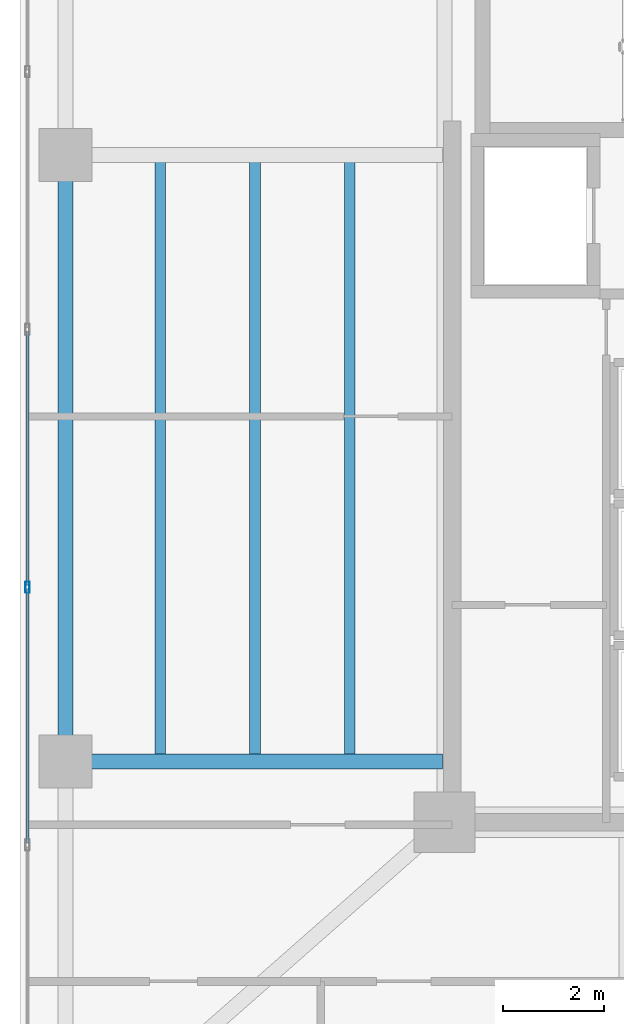
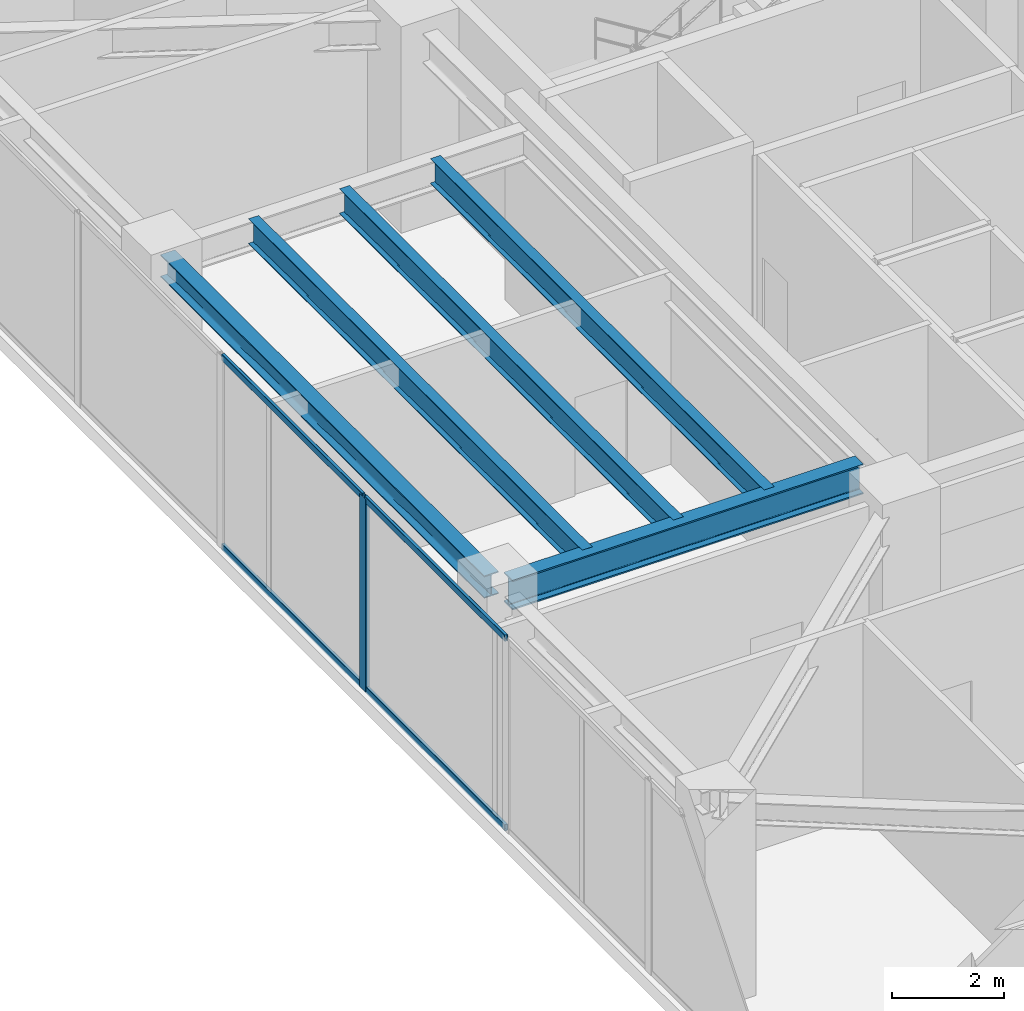
# One storey, part 8 of 37: 5 beams, 5 members, 1 element without a shape of its own.
"""IFC4 building model written with IfcOpenShell, lengths in metres."""

from ifc_helpers import new_model, si_unit, direction, frame, origin, origin_2d, place, context, subcontext, project, spatial, hollow_rectangle, i_section, extrude, material, layer, layer_set, material_profile, profile_set, type_object, element, aggregate, save


model = new_model("IFC4")

# Units and contexts
model_context = context("Model", 3, precision=1e-05, world=origin(), true_north=direction((0.0, 1.0)))
body_context = subcontext(model_context, "Body", "Model", "MODEL_VIEW")
ifc_project = project(units=[si_unit("LENGTHUNIT", "METRE"), si_unit("AREAUNIT", "SQUARE_METRE"), si_unit("VOLUMEUNIT", "CUBIC_METRE"), si_unit("PLANEANGLEUNIT", "RADIAN"), si_unit("MASSUNIT", "GRAM", prefix="KILO")], contexts=[model_context])

# Site, building, storey
site_placement = place(None, origin())
site = spatial("IfcSite", under=ifc_project, at=site_placement, CompositionType="ELEMENT")
building_placement = place(site_placement, origin())
building = spatial("IfcBuilding", under=site, at=building_placement, Name="Tarnavaz Court Tower", CompositionType="ELEMENT")
storey_placement = place(building_placement, frame((0.0, 0.0, 118.5)))
storey = spatial("IfcBuildingStorey", under=building, at=storey_placement, Name="L32", CompositionType="ELEMENT", Elevation=118.5)

# Beams
ifc_material_1 = material(Name="Steel S355", Category="steel")
ifc_material_profile_1 = material_profile(ifc_material_1, i_section(OverallWidth=0.300048828125, OverallDepth=0.64990234375, WebThickness=0.01611328125, FlangeThickness=0.031005859375, FilletRadius=0.027099609375, at=origin_2d()), Name="HEB 650")
ifc_profile_set_1 = profile_set([ifc_material_profile_1], Name="Steel S355")
beam_type_1 = type_object("IfcBeamType", Name="BM-G-HEB650", PredefinedType="USERDEFINED", material=ifc_profile_set_1)
beam_1_placement = place(storey_placement, frame((-18.639892578125, -6.0, 3.875), z_axis=(-1.0, 0.0, 0.0), x_axis=(0.0, -1.0, 0.0)))
element("IfcBeam", 1, at=beam_1_placement, inside=storey, type_object=beam_type_1, Name="L32 Beam RG-13", ObjectType="GIRDER", PredefinedType="USERDEFINED", context=body_context, shape_type="SweptSolid", body=[
    extrude(i_section(OverallWidth=0.300048828125, OverallDepth=0.64990234375, WebThickness=0.01611328125, FlangeThickness=0.031005859375, FilletRadius=0.027099609375, at=origin_2d()), origin(), (0.0, 0.0, 1.0), 7.239990234375),
])
ifc_material_profile_2 = material_profile(ifc_material_1, i_section(OverallWidth=0.2099609375, OverallDepth=0.550048828125, WebThickness=0.010986328125, FlangeThickness=0.01708984375, FilletRadius=0.02392578125, at=origin_2d()), Name="IPE 550")
ifc_profile_set_2 = profile_set([ifc_material_profile_2], Name="Steel S355")
beam_type_2 = type_object("IfcBeamType", Name="BM-J-IPE550", PredefinedType="JOIST", material=ifc_profile_set_2)
for number, where, z_axis, x_axis, name in (
    (2, (-20.47509765625, -5.9599609375, 3.925048828125), (0.0, 1.0, 0.0), (-1.0, 0.0, 0.0), "L32 Beam JW1"),
    (3, (-22.35009765625, -5.9599609375, 3.925048828125), (0.0, 1.0, 0.0), (-1.0, 0.0, 0.0), "L32 Beam JW2"),
    (4, (-24.22509765625, -5.9599609375, 3.925048828125), (0.0, 1.0, 0.0), (-1.0, 0.0, 0.0), "L32 Beam JW3"),
):
    element("IfcBeam", number, at=place(storey_placement, frame(where, z_axis=z_axis, x_axis=x_axis)), inside=storey, type_object=beam_type_2, Name=name, PredefinedType="JOIST", context=body_context, shape_type="SweptSolid", body=[
        extrude(i_section(OverallWidth=0.2099609375, OverallDepth=0.550048828125, WebThickness=0.010986328125, FlangeThickness=0.01708984375, FilletRadius=0.02392578125, at=origin_2d()), origin(), (0.0, 0.0, 1.0), 11.919921875),
    ])
ifc_material_profile_3 = material_profile(ifc_material_1, i_section(OverallWidth=0.300048828125, OverallDepth=0.489990234375, WebThickness=0.011962890625, FlangeThickness=0.02294921875, FilletRadius=0.027099609375, at=origin_2d()), Name="HEA 500")
ifc_profile_set_3 = profile_set([ifc_material_profile_3], Name="Steel S355")
beam_type_3 = type_object("IfcBeamType", Name="BM-SP-HEA500", PredefinedType="SPANDREL", material=ifc_profile_set_3)
beam_2_placement = place(storey_placement, frame((-26.10009765625, -5.780029296875, 3.955078125), z_axis=(0.0, 1.0, 0.0), x_axis=(-1.0, 0.0, 0.0)))
element("IfcBeam", 5, at=beam_2_placement, inside=storey, type_object=beam_type_3, Name="L32 Beam PR-PW-2-PW-3", PredefinedType="SPANDREL", context=body_context, shape_type="SweptSolid", body=[
    extrude(i_section(OverallWidth=0.300048828125, OverallDepth=0.489990234375, WebThickness=0.011962890625, FlangeThickness=0.02294921875, FilletRadius=0.027099609375, at=origin_2d()), origin(), (0.0, 0.0, 1.0), 11.56005859375),
])

# Curtain wall, members
ifc_material_2 = material(Name="Anodised Aluminium 6063-T6 and Solar Low-E Glazing", Category="aluminium")
ifc_layer = layer(ifc_material_2, 0.199951171875)
ifc_layer_set = layer_set([ifc_layer], Name="Anodised Aluminium 6063-T6 and Solar Low-E Glazing")
curtain_wall_type = type_object("IfcCurtainWallType", Name="CW-SYS-05", PredefinedType="NOTDEFINED", material=ifc_layer_set)
curtain_wall_placement = place(storey_placement, origin())
curtain_wall = element("IfcCurtainWall", 6, at=curtain_wall_placement, inside=storey, type_object=curtain_wall_type, Name="L32 Sky-Portal Curtain Wall 2", PredefinedType="NOTDEFINED")
ifc_material_3 = material(Name="Anodised Aluminium 6063-T6", Category="aluminium")
ifc_material_profile_4 = material_profile(ifc_material_3, hollow_rectangle(XDim=0.0849609375, YDim=0.219970703125, WallThickness=0.006103515625, InnerFilletRadius=0.006103515625, OuterFilletRadius=0.011962890625, at=origin_2d()), Name="ALU RHS 220X85X6")
ifc_profile_set_4 = profile_set([ifc_material_profile_4], Name="Anodised Aluminium 6063-T6")
member_type_1 = type_object("IfcMemberType", Name="CW-MUL-220", PredefinedType="MULLION", material=ifc_profile_set_4)
member_1_placement = place(storey_placement, frame((-26.85009765625, -2.550048828125, 0.0), z_axis=(0.0, 0.0, 1.0), x_axis=(-1.0, 0.0, 0.0)))
member_1 = element("IfcMember", 7, at=member_1_placement, type_object=member_type_1, Name="CW mullion 4", PredefinedType="MULLION", context=body_context, shape_type="SweptSolid", body=[
    extrude(hollow_rectangle(XDim=0.0849609375, YDim=0.219970703125, WallThickness=0.006103515625, InnerFilletRadius=0.006103515625, OuterFilletRadius=0.011962890625, at=origin_2d()), origin(), (0.0, 0.0, 1.0), 4.199951171875),
])
ifc_material_profile_5 = material_profile(ifc_material_3, hollow_rectangle(XDim=0.06494140625, YDim=0.139892578125, WallThickness=0.00390625, InnerFilletRadius=0.00390625, OuterFilletRadius=0.008056640625, at=origin_2d()), Name="ALU RHS 140X65X4")
ifc_profile_set_5 = profile_set([ifc_material_profile_5], Name="Anodised Aluminium 6063-T6")
member_type_2 = type_object("IfcMemberType", Name="CW-TRN-140", PredefinedType="USERDEFINED", material=ifc_profile_set_5)
member_2_placement = place(storey_placement, frame((-26.85009765625, -7.607421875, 0.032470703125), z_axis=(0.0, 1.0, 0.0), x_axis=(-1.0, 0.0, 0.0)))
member_2 = element("IfcMember", 8, at=member_2_placement, type_object=member_type_2, Name="CW transom 3.1", ObjectType="TRANSOM", PredefinedType="USERDEFINED", context=body_context, shape_type="SweptSolid", body=[
    extrude(hollow_rectangle(XDim=0.06494140625, YDim=0.139892578125, WallThickness=0.00390625, InnerFilletRadius=0.00390625, OuterFilletRadius=0.008056640625, at=origin_2d()), origin(), (0.0, 0.0, 1.0), 5.014892578125),
])
member_3_placement = place(storey_placement, frame((-26.85009765625, -7.607421875, 4.16748046875), z_axis=(0.0, 1.0, 0.0), x_axis=(-1.0, 0.0, 0.0)))
member_3 = element("IfcMember", 9, at=member_3_placement, type_object=member_type_2, Name="CW transom 3.2", ObjectType="TRANSOM", PredefinedType="USERDEFINED", context=body_context, shape_type="SweptSolid", body=[
    extrude(hollow_rectangle(XDim=0.06494140625, YDim=0.139892578125, WallThickness=0.00390625, InnerFilletRadius=0.00390625, OuterFilletRadius=0.008056640625, at=origin_2d()), origin(), (0.0, 0.0, 1.0), 5.014892578125),
])
member_4_placement = place(storey_placement, frame((-26.85009765625, -2.507568359375, 0.032470703125), z_axis=(0.0, 1.0, 0.0), x_axis=(-1.0, 0.0, 0.0)))
member_4 = element("IfcMember", 10, at=member_4_placement, type_object=member_type_2, Name="CW transom 4.1", ObjectType="TRANSOM", PredefinedType="USERDEFINED", context=body_context, shape_type="SweptSolid", body=[
    extrude(hollow_rectangle(XDim=0.06494140625, YDim=0.139892578125, WallThickness=0.00390625, InnerFilletRadius=0.00390625, OuterFilletRadius=0.008056640625, at=origin_2d()), origin(), (0.0, 0.0, 1.0), 5.01513671875),
])
member_5_placement = place(storey_placement, frame((-26.85009765625, -2.507568359375, 4.16748046875), z_axis=(0.0, 1.0, 0.0), x_axis=(-1.0, 0.0, 0.0)))
member_5 = element("IfcMember", 11, at=member_5_placement, type_object=member_type_2, Name="CW transom 4.2", ObjectType="TRANSOM", PredefinedType="USERDEFINED", context=body_context, shape_type="SweptSolid", body=[
    extrude(hollow_rectangle(XDim=0.06494140625, YDim=0.139892578125, WallThickness=0.00390625, InnerFilletRadius=0.00390625, OuterFilletRadius=0.008056640625, at=origin_2d()), origin(), (0.0, 0.0, 1.0), 5.01513671875),
])
aggregate(curtain_wall, [member_1, member_2, member_3, member_4, member_5])

save(model, "model.ifc")
